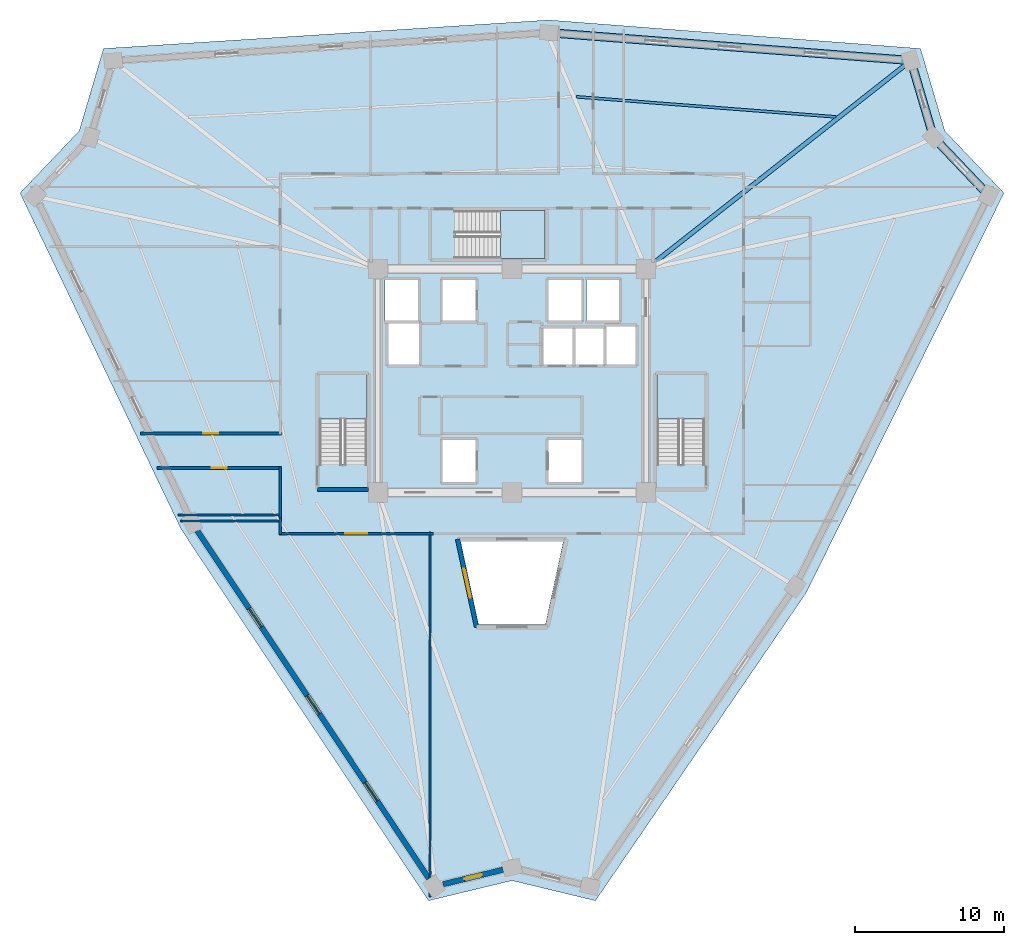
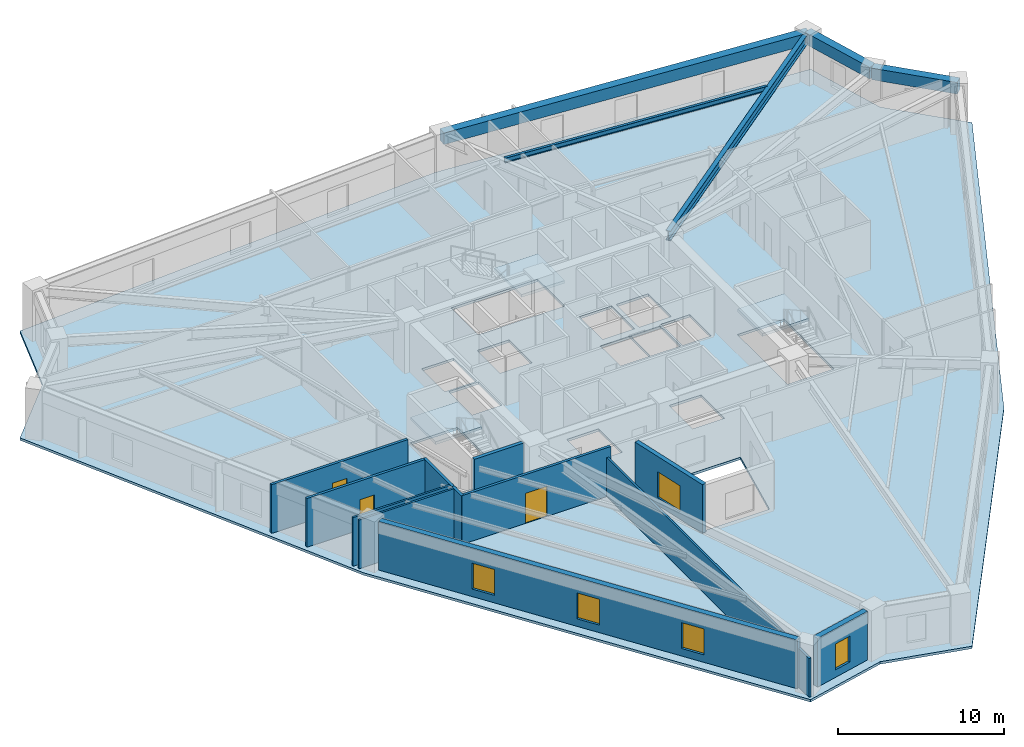
# One storey, part 2 of 8: 12 walls, 5 beams, 5 windows, 4 slabs, 3 doors, 8 openings, 3 elements without a shape of their own.
"""IFC4 building model written with IfcOpenShell, lengths in metres."""

from ifc_helpers import new_model, si_unit, direction, frame, frame_2d, origin, origin_2d, place, context, subcontext, project, spatial, polyline, rectangle, i_section, outline, extrude, source, transform, mapped, material, layer, layer_set, material_profile, profile_set, type_object, element, fill, aggregate, save


model = new_model("IFC4")

# Units and contexts
model_context = context("Model", 3, precision=1e-05, world=origin(), true_north=direction((0.0, 1.0)))
body_context = subcontext(model_context, "Body", "Model", "MODEL_VIEW")
ifc_project = project(units=[si_unit("LENGTHUNIT", "METRE"), si_unit("AREAUNIT", "SQUARE_METRE"), si_unit("VOLUMEUNIT", "CUBIC_METRE"), si_unit("PLANEANGLEUNIT", "RADIAN"), si_unit("MASSUNIT", "GRAM", prefix="KILO")], contexts=[model_context])

# Site, building, storey
site_placement = place(None, origin())
site = spatial("IfcSite", under=ifc_project, at=site_placement, CompositionType="ELEMENT")
building_placement = place(site_placement, origin())
building = spatial("IfcBuilding", under=site, at=building_placement, Name="Liaohun Quay Tower", CompositionType="ELEMENT")
storey_placement = place(building_placement, frame((0.0, 0.0, 255.0)))
storey = spatial("IfcBuildingStorey", under=building, at=storey_placement, Name="L66", CompositionType="ELEMENT", Elevation=255.0)

# Beams
ifc_material_1 = material(Name="Precast concrete C50", Category="concrete")
ifc_material_profile_1 = material_profile(ifc_material_1, rectangle(XDim=0.550048828125, YDim=0.85009765625, at=origin_2d()), Name="RC550x850")
ifc_profile_set_1 = profile_set([ifc_material_profile_1], Name="Precast concrete C50")
beam_type_1 = type_object("IfcBeamType", Name="BM-SPD-Z3", PredefinedType="SPANDREL", material=ifc_profile_set_1)
shared_shape_1 = source(origin(), body_context, "Body", "SweptSolid", [
    extrude(rectangle(XDim=0.550048828125, YDim=0.85009765625, at=origin_2d()), origin(), (0.0, 0.0, 1.0), 24.3857421875),
])
beam_1_placement = place(storey_placement, frame((62.464111328125, 77.3701171875, 3.14501953125), z_axis=(0.997058135672, -0.076649031898, 0.0), x_axis=(0.076649031898, 0.997058135672, 0.0)))
element("IfcBeam", 1, at=beam_1_placement, inside=storey, type_object=beam_type_1, Name="L66 Precast Spandrel Beam PC06-PC07", PredefinedType="SPANDREL", context=body_context, shape_type="MappedRepresentation", body=[
    mapped(shared_shape_1, transform((0.0, 0.0, 0.0), x_axis=(1.0, 0.0, 0.0), y_axis=(0.0, 1.0, 0.0), z_axis=(0.0, 0.0, 1.0), scale=1.0)),
])
shared_shape_2 = source(origin(), body_context, "Body", "SweptSolid", [
    extrude(rectangle(XDim=0.550048828125, YDim=0.85009765625, at=origin_2d()), origin(), (0.0, 0.0, 1.0), 5.3818359375),
])
beam_2_placement = place(storey_placement, frame((86.778076171875, 75.5009765625, 3.14501953125), z_axis=(0.282979158673, -0.959126058324, 0.0), x_axis=(0.959126058324, 0.282979158673, 0.0)))
element("IfcBeam", 2, at=beam_2_placement, inside=storey, type_object=beam_type_1, Name="L66 Precast Spandrel Beam PC07-PC08", PredefinedType="SPANDREL", context=body_context, shape_type="MappedRepresentation", body=[
    mapped(shared_shape_2, transform((0.0, 0.0, 0.0), x_axis=(1.0, 0.0, 0.0), y_axis=(0.0, 1.0, 0.0), z_axis=(0.0, 0.0, 1.0), scale=1.0)),
])
shared_shape_3 = source(origin(), body_context, "Body", "SweptSolid", [
    extrude(rectangle(XDim=0.550048828125, YDim=0.85009765625, at=origin_2d()), origin(), (0.0, 0.0, 1.0), 5.37353515625),
])
beam_3_placement = place(storey_placement, frame((88.301025390625, 70.339111328125, 3.14501953125), z_axis=(0.689281829079, -0.724493312669, 0.0), x_axis=(0.724493312669, 0.689281829079, 0.0)))
element("IfcBeam", 3, at=beam_3_placement, inside=storey, type_object=beam_type_1, Name="L66 Precast Spandrel Beam PC08-PC09", PredefinedType="SPANDREL", context=body_context, shape_type="MappedRepresentation", body=[
    mapped(shared_shape_3, transform((0.0, 0.0, 0.0), x_axis=(1.0, 0.0, 0.0), y_axis=(0.0, 1.0, 0.0), z_axis=(0.0, 0.0, 1.0), scale=1.0)),
])
ifc_material_2 = material(Name="Steel Q355D", Category="steel")
ifc_material_profile_2 = material_profile(ifc_material_2, i_section(OverallWidth=0.300048828125, OverallDepth=0.699951171875, WebThickness=0.012939453125, FlangeThickness=0.02392578125, at=origin_2d()), Name="HN700x300x13x24")
ifc_profile_set_2 = profile_set([ifc_material_profile_2], Name="Steel Q355D")
beam_type_2 = type_object("IfcBeamType", Name="BM-RAD-U1", PredefinedType="BEAM", material=ifc_profile_set_2)
shared_shape_4 = source(origin(), body_context, "Body", "SweptSolid", [
    extrude(i_section(OverallWidth=0.300048828125, OverallDepth=0.699951171875, WebThickness=0.012939453125, FlangeThickness=0.02392578125, at=origin_2d()), origin(), (0.0, 0.0, 1.0), 22.28515625),
])
beam_4_placement = place(storey_placement, frame((69.0, 61.5, 3.219970703125), z_axis=(0.785766426077, 0.618523341233, 0.0), x_axis=(-0.618523341233, 0.785766426077, 0.0)))
element("IfcBeam", 4, at=beam_4_placement, inside=storey, type_object=beam_type_2, Name="L66 Radial Primary Girder CC4-PC07", PredefinedType="BEAM", context=body_context, shape_type="MappedRepresentation", body=[
    mapped(shared_shape_4, transform((0.0, 0.0, 0.0), x_axis=(1.0, 0.0, 0.0), y_axis=(0.0, 1.0, 0.0), z_axis=(0.0, 0.0, 1.0), scale=1.0)),
])
ifc_material_profile_3 = material_profile(ifc_material_2, i_section(OverallWidth=0.175048828125, OverallDepth=0.35009765625, WebThickness=0.007080078125, FlangeThickness=0.010986328125, at=origin_2d()), Name="HN350x175x7x11")
ifc_profile_set_3 = profile_set([ifc_material_profile_3], Name="Steel Q355D")
beam_type_3 = type_object("IfcBeamType", Name="BM-SEC-J3", PredefinedType="JOIST", material=ifc_profile_set_3)
shared_shape_5 = source(origin(), body_context, "Body", "SweptSolid", [
    extrude(i_section(OverallWidth=0.175048828125, OverallDepth=0.35009765625, WebThickness=0.007080078125, FlangeThickness=0.010986328125, at=origin_2d()), origin(), (0.0, 0.0, 1.0), 17.476318359375),
])
beam_5_placement = place(storey_placement, frame((64.31298828125, 73.06689453125, 3.39501953125), z_axis=(0.997012592682, -0.07723917422, 0.0), x_axis=(0.07723917422, 0.997012592682, 0.0)))
element("IfcBeam", 5, at=beam_5_placement, inside=storey, type_object=beam_type_3, Name="L66 Wing Secondary Floor Joist SJ-09", PredefinedType="JOIST", context=body_context, shape_type="MappedRepresentation", body=[
    mapped(shared_shape_5, transform((0.0, 0.0, 0.0), x_axis=(1.0, 0.0, 0.0), y_axis=(0.0, 1.0, 0.0), z_axis=(0.0, 0.0, 1.0), scale=1.0)),
])

# Stair, slab
ifc_material_3 = material(Name="Concrete C45", Category="concrete")
stair_type = type_object("IfcStairType", Name="STR-CORE-OFF", PredefinedType="HALF_TURN_STAIR", material=ifc_material_3)
stair_1_placement = place(storey_placement, origin())
stair_1 = element("IfcStair", 6, at=stair_1_placement, inside=storey, type_object=stair_type, Name="L66 Smokeproof Core Exit Stair ST-1", PredefinedType="HALF_TURN_STAIR")
ifc_layer_1 = layer(ifc_material_3, 0.199951171875, Name="Concrete C45", Category="concrete")
ifc_layer_set_1 = layer_set([ifc_layer_1], Name="Concrete C45")
slab_type_1 = type_object("IfcSlabType", Name="SLB-LND-200", PredefinedType="LANDING", material=ifc_layer_set_1)
slab_1_placement = place(storey_placement, frame((0.0, 0.0, 1.675048828125)))
slab_1 = element("IfcSlab", 7, at=slab_1_placement, type_object=slab_type_1, Name="ST-1 landing 1", PredefinedType="LANDING", context=body_context, shape_type="SweptSolid", body=[
    extrude(outline(polyline([(50.280029296875, 51.429931640625), (50.280029296875, 54.419921875), (47.0400390625, 54.419921875), (47.0400390625, 51.429931640625), (50.280029296875, 51.429931640625)])), origin(), (0.0, 0.0, 1.0), 0.199951171875),
])
aggregate(stair_1, [slab_1])

stair_2_placement = place(storey_placement, origin())
stair_2 = element("IfcStair", 8, at=stair_2_placement, inside=storey, type_object=stair_type, Name="L66 Smokeproof Core Exit Stair ST-2", PredefinedType="HALF_TURN_STAIR")
slab_2_placement = place(storey_placement, frame((0.0, 0.0, 1.675048828125)))
slab_2 = element("IfcSlab", 9, at=slab_2_placement, type_object=slab_type_1, Name="ST-2 landing 1", PredefinedType="LANDING", context=body_context, shape_type="SweptSolid", body=[
    extrude(outline(polyline([(72.9599609375, 51.429931640625), (72.9599609375, 54.419921875), (69.719970703125, 54.419921875), (69.719970703125, 51.429931640625), (72.9599609375, 51.429931640625)])), origin(), (0.0, 0.0, 1.0), 0.199951171875),
])
aggregate(stair_2, [slab_2])

stair_3_placement = place(storey_placement, origin())
stair_3 = element("IfcStair", 10, at=stair_3_placement, inside=storey, type_object=stair_type, Name="L66 Smokeproof Core Exit Stair ST-3", PredefinedType="HALF_TURN_STAIR")
slab_3_placement = place(storey_placement, frame((0.0, 0.0, 1.675048828125)))
slab_3 = element("IfcSlab", 11, at=slab_3_placement, type_object=slab_type_1, Name="ST-3 landing 1", PredefinedType="LANDING", context=body_context, shape_type="SweptSolid", body=[
    extrude(outline(polyline([(59.22998046875, 62.199951171875), (62.219970703125, 62.199951171875), (62.219970703125, 65.43994140625), (59.22998046875, 65.43994140625), (59.22998046875, 62.199951171875)])), origin(), (0.0, 0.0, 1.0), 0.199951171875),
])
aggregate(stair_3, [slab_3])

# Slab
ifc_layer_2 = layer(ifc_material_3, 0.179931640625, Name="Concrete C45", Category="concrete")
ifc_layer_set_2 = layer_set([ifc_layer_2], Name="Concrete C45")
slab_type_2 = type_object("IfcSlabType", Name="SLB-OFF-180", PredefinedType="FLOOR", material=ifc_layer_set_2)
slab_4_placement = place(storey_placement, frame((0.0, 0.0, -0.179931640625)))
element("IfcSlab", 12, at=slab_4_placement, inside=storey, type_object=slab_type_2, Name="L66 Structural Floor Slab", PredefinedType="FLOOR", context=body_context, shape_type="SweptSolid", body=[
    extrude(outline(polyline([(54.39794921875, 19.093994140625), (60.0, 20.447021484375), (65.60205078125, 19.093994140625), (79.742919921875, 39.7509765625), (93.030029296875, 66.60205078125), (89.05810546875, 70.77587890625), (87.427978515625, 76.303955078125), (62.468994140625, 78.221923828125), (32.572021484375, 76.303955078125), (30.94189453125, 70.77587890625), (26.969970703125, 66.60205078125), (37.7890625, 44.027099609375), (54.39794921875, 19.093994140625)]), holes=[polyline([(63.444091796875, 43.199951171875), (56.555908203125, 43.199951171875), (57.760986328125, 37.6240234375), (62.239013671875, 37.6240234375), (63.444091796875, 43.199951171875)]), polyline([(57.56005859375, 47.2099609375), (57.56005859375, 50.030029296875), (55.340087890625, 50.030029296875), (55.340087890625, 47.2099609375), (57.56005859375, 47.2099609375)]), polyline([(50.280029296875, 54.419921875), (47.0400390625, 54.419921875), (47.0400390625, 48.409912109375), (50.280029296875, 48.409912109375), (50.280029296875, 54.419921875)]), polyline([(53.760009765625, 55.090087890625), (53.760009765625, 57.909912109375), (51.7099609375, 57.909912109375), (51.7099609375, 55.090087890625), (53.760009765625, 55.090087890625)]), polyline([(53.7099609375, 58.0400390625), (53.7099609375, 60.7900390625), (51.489990234375, 60.7900390625), (51.489990234375, 58.0400390625), (53.7099609375, 58.0400390625)]), polyline([(57.56005859375, 58.0400390625), (57.56005859375, 60.7900390625), (55.340087890625, 60.7900390625), (55.340087890625, 58.0400390625), (57.56005859375, 58.0400390625)]), polyline([(62.219970703125, 62.199951171875), (62.219970703125, 65.43994140625), (56.2099609375, 65.43994140625), (56.2099609375, 62.199951171875), (62.219970703125, 62.199951171875)]), polyline([(64.659912109375, 50.030029296875), (62.43994140625, 50.030029296875), (62.43994140625, 47.2099609375), (64.659912109375, 47.2099609375), (64.659912109375, 50.030029296875)]), polyline([(72.9599609375, 54.419921875), (69.719970703125, 54.419921875), (69.719970703125, 48.409912109375), (72.9599609375, 48.409912109375), (72.9599609375, 54.419921875)]), polyline([(64.06005859375, 55.090087890625), (64.06005859375, 57.510009765625), (61.989990234375, 57.510009765625), (61.989990234375, 55.090087890625), (64.06005859375, 55.090087890625)]), polyline([(66.159912109375, 55.090087890625), (66.159912109375, 57.510009765625), (64.090087890625, 57.510009765625), (64.090087890625, 55.090087890625), (66.159912109375, 55.090087890625)]), polyline([(68.2900390625, 55.090087890625), (68.2900390625, 57.659912109375), (66.2900390625, 57.659912109375), (66.2900390625, 55.090087890625), (68.2900390625, 55.090087890625)]), polyline([(64.659912109375, 58.0400390625), (64.659912109375, 60.7900390625), (62.43994140625, 60.7900390625), (62.43994140625, 58.0400390625), (64.659912109375, 58.0400390625)]), polyline([(67.2099609375, 58.0400390625), (67.2099609375, 60.7900390625), (64.989990234375, 60.7900390625), (64.989990234375, 58.0400390625), (67.2099609375, 58.0400390625)])]), origin(), (0.0, 0.0, 1.0), 0.179931640625),
])

# Wall, opening, window
ifc_material_4 = material(Name="Concrete C50", Category="concrete")
ifc_layer_3 = layer(ifc_material_4, 0.300048828125, Name="Concrete C50", Category="concrete")
ifc_layer_set_3 = layer_set([ifc_layer_3], Name="Concrete C50")
wall_type_1 = type_object("IfcWallType", Name="WAL-ATR-300", PredefinedType="SOLIDWALL", material=ifc_layer_set_3)
wall_1_placement = place(storey_placement, frame((57.6240234375, 37.4541015625, 0.0), z_axis=(0.0, 0.0, 1.0), x_axis=(-0.211319253415, 0.977417092717, 0.0)))
wall_1 = element("IfcWall", 13, at=wall_1_placement, inside=storey, type_object=wall_type_1, Name="L66 Atrium Fire Compartment Wall 1", PredefinedType="SOLIDWALL", context=body_context, shape_type="SweptSolid", body=[
    extrude(rectangle(XDim=6.052734375, YDim=0.300048828125, at=frame_2d((3.0263671875, 0.0))), origin(), (0.0, 0.0, 1.0), 3.570068359375),
])
shared_shape_6 = source(origin(), body_context, "Body", "SweptSolid", [
    extrude(rectangle(XDim=2.0, YDim=1.89990234375, at=frame_2d((1.0, 0.949951171875))), frame((0.0, 0.159912109375, 0.0), z_axis=(0.0, -1.0, 0.0), x_axis=(1.0, 0.0, 0.0)), (0.0, 0.0, 1.0), 0.320068359375),
])
opening_1_placement = place(wall_1_placement, frame((2.02587890625, 0.0, 0.550048828125)))
opening_1 = element("IfcOpeningElement", 14, at=opening_1_placement, cuts=wall_1, Name="Opening W07", PredefinedType="OPENING", context=body_context, shape_type="MappedRepresentation", body=[
    mapped(shared_shape_6, transform((0.0, 0.0, 0.0), x_axis=(1.0, 0.0, 0.0), y_axis=(0.0, 1.0, 0.0), z_axis=(0.0, 0.0, 1.0), scale=1.0)),
])
ifc_material_5 = material(Name="Class A 180-min fire-resistant insulated glazing", Category="glass")
window_type_1 = type_object("IfcWindowType", Name="WIN-ATR-FIR", PartitioningType="DOUBLE_PANEL_VERTICAL", PredefinedType="WINDOW", material=ifc_material_5)
shared_shape_7 = source(origin(), body_context, "Body", "SweptSolid", [
    extrude(rectangle(XDim=2.0, YDim=1.89990234375, at=frame_2d((1.0, 0.949951171875))), frame((0.0, 0.030029296875, 0.0), z_axis=(0.0, -1.0, 0.0), x_axis=(1.0, 0.0, 0.0)), (0.0, 0.0, 1.0), 0.06005859375),
])
window_1_placement = place(opening_1_placement, origin())
window_1 = element("IfcWindow", 15, at=window_1_placement, inside=storey, type_object=window_type_1, Name="L66 Atrium Fire-Resistant Glazing W07-1", OverallHeight=1.89990234375, OverallWidth=2.0, PartitioningType="DOUBLE_PANEL_VERTICAL", PredefinedType="WINDOW", context=body_context, shape_type="MappedRepresentation", body=[
    mapped(shared_shape_7, transform((0.0, 0.0, 0.0), x_axis=(1.0, 0.0, 0.0), y_axis=(0.0, 1.0, 0.0), z_axis=(0.0, 0.0, 1.0), scale=1.0)),
])
fill(opening_1, window_1)

# Wall, openings, windows
ifc_material_6 = material(Name="Precast concrete C50 insulated sandwich", Category="concrete")
ifc_layer_4 = layer(ifc_material_6, 0.3798828125, Name="Precast concrete C50 insulated sandwich", Category="concrete")
ifc_layer_set_4 = layer_set([ifc_layer_4], Name="Precast concrete C50 insulated sandwich")
wall_type_2 = type_object("IfcWallType", Name="WAL-EXT-Z34", PredefinedType="SOLIDWALL", material=ifc_layer_set_4)
wall_2_placement = place(storey_placement, frame((38.87109375, 43.93603515625, 0.0), z_axis=(0.0, 0.0, 1.0), x_axis=(0.554403141281, -0.832248254391, 0.0)))
wall_2 = element("IfcWall", 16, at=wall_2_placement, inside=storey, type_object=wall_type_2, Name="L66 Brutalist Precast Pier Wall 11", PredefinedType="SOLIDWALL", context=body_context, shape_type="SweptSolid", body=[
    extrude(rectangle(XDim=28.073486328125, YDim=0.3798828125, at=frame_2d((14.03662109375, 0.0))), origin(), (0.0, 0.0, 1.0), 3.570068359375),
])
shared_shape_8 = source(origin(), body_context, "Body", "SweptSolid", [
    extrude(rectangle(XDim=1.5, YDim=1.89990234375, at=frame_2d((0.75, 0.949951171875))), frame((0.0, 0.199951171875, 0.0), z_axis=(0.0, -1.0, 0.0), x_axis=(1.0, 0.0, 0.0)), (0.0, 0.0, 1.0), 0.39990234375),
])
opening_2_placement = place(wall_2_placement, frame((6.26806640625, 0.0, 0.550048828125)))
opening_2 = element("IfcOpeningElement", 17, at=opening_2_placement, cuts=wall_2, Name="Opening W03", PredefinedType="OPENING", context=body_context, shape_type="MappedRepresentation", body=[
    mapped(shared_shape_8, transform((0.0, 0.0, 0.0), x_axis=(1.0, 0.0, 0.0), y_axis=(0.0, 1.0, 0.0), z_axis=(0.0, 0.0, 1.0), scale=1.0)),
])
opening_3_placement = place(wall_2_placement, frame((13.287109375, 0.0, 0.550048828125)))
opening_3 = element("IfcOpeningElement", 18, at=opening_3_placement, cuts=wall_2, Name="Opening W03", PredefinedType="OPENING", context=body_context, shape_type="MappedRepresentation", body=[
    mapped(shared_shape_8, transform((0.0, 0.0, 0.0), x_axis=(1.0, 0.0, 0.0), y_axis=(0.0, 1.0, 0.0), z_axis=(0.0, 0.0, 1.0), scale=1.0)),
])
opening_4_placement = place(wall_2_placement, frame((20.304931640625, 0.0, 0.550048828125)))
opening_4 = element("IfcOpeningElement", 19, at=opening_4_placement, cuts=wall_2, Name="Opening W03", PredefinedType="OPENING", context=body_context, shape_type="MappedRepresentation", body=[
    mapped(shared_shape_8, transform((0.0, 0.0, 0.0), x_axis=(1.0, 0.0, 0.0), y_axis=(0.0, 1.0, 0.0), z_axis=(0.0, 0.0, 1.0), scale=1.0)),
])
ifc_material_7 = material(Name="Triple Low-E argon glazing in thermally broken aluminium", Category="aluminium")
window_type_2 = type_object("IfcWindowType", Name="WIN-PUN-Z3", PartitioningType="DOUBLE_PANEL_VERTICAL", PredefinedType="WINDOW", material=ifc_material_7)
shared_shape_9 = source(origin(), body_context, "Body", "SweptSolid", [
    extrude(rectangle(XDim=1.5, YDim=1.89990234375, at=frame_2d((0.75, 0.949951171875))), frame((0.0, 0.030029296875, 0.0), z_axis=(0.0, -1.0, 0.0), x_axis=(1.0, 0.0, 0.0)), (0.0, 0.0, 1.0), 0.06005859375),
])
window_2_placement = place(opening_2_placement, origin())
window_2 = element("IfcWindow", 20, at=window_2_placement, inside=storey, type_object=window_type_2, Name="L66 Recessed Cold-Climate Punched Window 11-1", OverallHeight=1.89990234375, OverallWidth=1.5, PartitioningType="DOUBLE_PANEL_VERTICAL", PredefinedType="WINDOW", context=body_context, shape_type="MappedRepresentation", body=[
    mapped(shared_shape_9, transform((0.0, 0.0, 0.0), x_axis=(1.0, 0.0, 0.0), y_axis=(0.0, 1.0, 0.0), z_axis=(0.0, 0.0, 1.0), scale=1.0)),
])
fill(opening_2, window_2)
window_3_placement = place(opening_3_placement, origin())
window_3 = element("IfcWindow", 21, at=window_3_placement, inside=storey, type_object=window_type_2, Name="L66 Recessed Cold-Climate Punched Window 11-2", OverallHeight=1.89990234375, OverallWidth=1.5, PartitioningType="DOUBLE_PANEL_VERTICAL", PredefinedType="WINDOW", context=body_context, shape_type="MappedRepresentation", body=[
    mapped(shared_shape_9, transform((0.0, 0.0, 0.0), x_axis=(1.0, 0.0, 0.0), y_axis=(0.0, 1.0, 0.0), z_axis=(0.0, 0.0, 1.0), scale=1.0)),
])
fill(opening_3, window_3)
window_4_placement = place(opening_4_placement, origin())
window_4 = element("IfcWindow", 22, at=window_4_placement, inside=storey, type_object=window_type_2, Name="L66 Recessed Cold-Climate Punched Window 11-3", OverallHeight=1.89990234375, OverallWidth=1.5, PartitioningType="DOUBLE_PANEL_VERTICAL", PredefinedType="WINDOW", context=body_context, shape_type="MappedRepresentation", body=[
    mapped(shared_shape_9, transform((0.0, 0.0, 0.0), x_axis=(1.0, 0.0, 0.0), y_axis=(0.0, 1.0, 0.0), z_axis=(0.0, 0.0, 1.0), scale=1.0)),
])
fill(opening_4, window_4)

# Wall, opening, window
wall_3_placement = place(storey_placement, frame((55.3740234375, 20.2041015625, 0.0), z_axis=(0.0, 0.0, 1.0), x_axis=(0.972048835294, 0.234778750751, 0.0)))
wall_3 = element("IfcWall", 23, at=wall_3_placement, inside=storey, type_object=wall_type_2, Name="L66 Brutalist Precast Pier Wall 12", PredefinedType="SOLIDWALL", context=body_context, shape_type="SweptSolid", body=[
    extrude(rectangle(XDim=4.143798828125, YDim=0.3798828125, at=frame_2d((2.07177734375, 0.0))), origin(), (0.0, 0.0, 1.0), 3.570068359375),
])
shared_shape_10 = source(origin(), body_context, "Body", "SweptSolid", [
    extrude(rectangle(XDim=1.199951171875, YDim=1.89990234375, at=frame_2d((0.60009765625, 0.949951171875))), frame((0.0, 0.199951171875, 0.0), z_axis=(0.0, -1.0, 0.0), x_axis=(1.0, 0.0, 0.0)), (0.0, 0.0, 1.0), 0.39990234375),
])
opening_5_placement = place(wall_3_placement, frame((1.471923828125, 0.0, 0.550048828125)))
opening_5 = element("IfcOpeningElement", 24, at=opening_5_placement, cuts=wall_3, Name="Opening W05", PredefinedType="OPENING", context=body_context, shape_type="MappedRepresentation", body=[
    mapped(shared_shape_10, transform((0.0, 0.0, 0.0), x_axis=(1.0, 0.0, 0.0), y_axis=(0.0, 1.0, 0.0), z_axis=(0.0, 0.0, 1.0), scale=1.0)),
])
ifc_material_8 = material(Name="Triple Low-E corner notch glazing", Category="glass")
window_type_3 = type_object("IfcWindowType", Name="WIN-NOTCH", PartitioningType="SINGLE_PANEL", PredefinedType="WINDOW", material=ifc_material_8)
shared_shape_11 = source(origin(), body_context, "Body", "SweptSolid", [
    extrude(rectangle(XDim=1.199951171875, YDim=1.89990234375, at=frame_2d((0.60009765625, 0.949951171875))), frame((0.0, 0.030029296875, 0.0), z_axis=(0.0, -1.0, 0.0), x_axis=(1.0, 0.0, 0.0)), (0.0, 0.0, 1.0), 0.06005859375),
])
window_5_placement = place(opening_5_placement, origin())
window_5 = element("IfcWindow", 25, at=window_5_placement, inside=storey, type_object=window_type_3, Name="L66 Corner Notch Window W05-12", OverallHeight=1.89990234375, OverallWidth=1.199951171875, PartitioningType="SINGLE_PANEL", PredefinedType="WINDOW", context=body_context, shape_type="MappedRepresentation", body=[
    mapped(shared_shape_11, transform((0.0, 0.0, 0.0), x_axis=(1.0, 0.0, 0.0), y_axis=(0.0, 1.0, 0.0), z_axis=(0.0, 0.0, 1.0), scale=1.0)),
])
fill(opening_5, window_5)

# Wall, opening, door
ifc_material_9 = material(Name="Autoclaved aerated concrete blockwork", Category="masonry")
ifc_layer_5 = layer(ifc_material_9, 0.179931640625, Name="Autoclaved aerated concrete blockwork", Category="masonry")
ifc_layer_set_5 = layer_set([ifc_layer_5], Name="Autoclaved aerated concrete blockwork")
wall_type_3 = type_object("IfcWallType", Name="WAL-PRT-COR", PredefinedType="PARTITIONING", material=ifc_layer_set_5)
wall_4_placement = place(storey_placement, frame((35.056884765625, 50.4599609375, 0.0), z_axis=(0.0, 0.0, 1.0), x_axis=(1.0, 0.0, 0.0)))
wall_4 = element("IfcWall", 26, at=wall_4_placement, inside=storey, type_object=wall_type_3, Name="L66 Interior Partition Wall 024", PredefinedType="PARTITIONING", context=body_context, shape_type="SweptSolid", body=[
    extrude(rectangle(XDim=9.453125, YDim=0.179931640625, at=frame_2d((4.7265625, 0.0))), origin(), (0.0, 0.0, 1.0), 3.570068359375),
])
shared_shape_12 = source(origin(), body_context, "Body", "SweptSolid", [
    extrude(rectangle(XDim=1.0, YDim=2.199951171875, at=frame_2d((0.5, 1.10009765625))), frame((0.0, 0.099853515625, 0.0), z_axis=(0.0, -1.0, 0.0), x_axis=(1.0, 0.0, 0.0)), (0.0, 0.0, 1.0), 0.199951171875),
])
opening_6_placement = place(wall_4_placement, frame((4.22607421875, 0.0, 0.0)))
opening_6 = element("IfcOpeningElement", 27, at=opening_6_placement, cuts=wall_4, Name="Opening OD1", PredefinedType="OPENING", context=body_context, shape_type="MappedRepresentation", body=[
    mapped(shared_shape_12, transform((0.0, 0.0, 0.0), x_axis=(1.0, 0.0, 0.0), y_axis=(0.0, 1.0, 0.0), z_axis=(0.0, 0.0, 1.0), scale=1.0)),
])
ifc_material_10 = material(Name="Solid-core oak veneer timber leaf in steel frame", Category="steel")
door_type_1 = type_object("IfcDoorType", Name="DOR-OFF-1000", OperationType="NOTDEFINED", PredefinedType="DOOR", material=ifc_material_10)
shared_shape_13 = source(origin(), body_context, "Body", "SweptSolid", [
    extrude(rectangle(XDim=1.0, YDim=2.199951171875, at=frame_2d((0.5, 1.10009765625))), frame((0.0, 0.02490234375, 0.0), z_axis=(0.0, -1.0, 0.0), x_axis=(1.0, 0.0, 0.0)), (0.0, 0.0, 1.0), 0.050048828125),
])
door_1_placement = place(opening_6_placement, origin())
door_1 = element("IfcDoor", 28, at=door_1_placement, inside=storey, type_object=door_type_1, Name="L66 Records Archive Store 09 Door", OperationType="SINGLE_SWING_RIGHT", OverallHeight=2.199951171875, OverallWidth=1.0, PredefinedType="DOOR", context=body_context, shape_type="MappedRepresentation", body=[
    mapped(shared_shape_13, transform((0.0, 0.0, 0.0), x_axis=(1.0, 0.0, 0.0), y_axis=(0.0, 1.0, 0.0), z_axis=(0.0, 0.0, 1.0), scale=1.0)),
])
fill(opening_6, door_1)

wall_5_placement = place(storey_placement, frame((44.510009765625, 48.139892578125, 0.0), z_axis=(0.0, 0.0, 1.0), x_axis=(-1.0, 0.0, 0.0)))
wall_5 = element("IfcWall", 29, at=wall_5_placement, inside=storey, type_object=wall_type_3, Name="L66 Interior Partition Wall 025", PredefinedType="PARTITIONING", context=body_context, shape_type="SweptSolid", body=[
    extrude(rectangle(XDim=8.341064453125, YDim=0.179931640625, at=frame_2d((4.17041015625, 0.0))), origin(), (0.0, 0.0, 1.0), 3.570068359375),
])
opening_7_placement = place(wall_5_placement, frame((3.6708984375, 0.0, 0.0)))
opening_7 = element("IfcOpeningElement", 30, at=opening_7_placement, cuts=wall_5, Name="Opening OD1", PredefinedType="OPENING", context=body_context, shape_type="MappedRepresentation", body=[
    mapped(shared_shape_12, transform((0.0, 0.0, 0.0), x_axis=(1.0, 0.0, 0.0), y_axis=(0.0, 1.0, 0.0), z_axis=(0.0, 0.0, 1.0), scale=1.0)),
])
door_2_placement = place(opening_7_placement, origin())
door_2 = element("IfcDoor", 31, at=door_2_placement, inside=storey, type_object=door_type_1, Name="L66 Open-Plan Office Workplace 10 Door", OperationType="SINGLE_SWING_LEFT", OverallHeight=2.199951171875, OverallWidth=1.0, PredefinedType="DOOR", context=body_context, shape_type="MappedRepresentation", body=[
    mapped(shared_shape_13, transform((0.0, 0.0, 0.0), x_axis=(1.0, 0.0, 0.0), y_axis=(0.0, 1.0, 0.0), z_axis=(0.0, 0.0, 1.0), scale=1.0)),
])
fill(opening_7, door_2)

wall_6_placement = place(storey_placement, frame((54.715087890625, 43.739990234375, 0.0), z_axis=(0.0, 0.0, 1.0), x_axis=(-1.0, 0.0, 0.0)))
wall_6 = element("IfcWall", 32, at=wall_6_placement, inside=storey, type_object=wall_type_3, Name="L66 Interior Partition Wall 026", PredefinedType="PARTITIONING", context=body_context, shape_type="SweptSolid", body=[
    extrude(rectangle(XDim=10.344970703125, YDim=0.179931640625, at=frame_2d((5.17236328125, 0.0))), origin(), (0.0, 0.0, 1.0), 3.570068359375),
])
shared_shape_14 = source(origin(), body_context, "Body", "SweptSolid", [
    extrude(rectangle(XDim=1.5, YDim=2.199951171875, at=frame_2d((0.75, 1.10009765625))), frame((0.0, 0.099853515625, 0.0), z_axis=(0.0, -1.0, 0.0), x_axis=(1.0, 0.0, 0.0)), (0.0, 0.0, 1.0), 0.199951171875),
])
opening_8_placement = place(wall_6_placement, frame((4.423095703125, 0.0, 0.0)))
opening_8 = element("IfcOpeningElement", 33, at=opening_8_placement, cuts=wall_6, Name="Opening OD2", PredefinedType="OPENING", context=body_context, shape_type="MappedRepresentation", body=[
    mapped(shared_shape_14, transform((0.0, 0.0, 0.0), x_axis=(1.0, 0.0, 0.0), y_axis=(0.0, 1.0, 0.0), z_axis=(0.0, 0.0, 1.0), scale=1.0)),
])
ifc_material_11 = material(Name="Acoustic oak veneer double door")
door_type_2 = type_object("IfcDoorType", Name="DOR-OFF-1500", OperationType="DOUBLE_DOOR_SINGLE_SWING", PredefinedType="DOOR", material=ifc_material_11)
shared_shape_15 = source(origin(), body_context, "Body", "SweptSolid", [
    extrude(rectangle(XDim=1.5, YDim=2.199951171875, at=frame_2d((0.75, 1.10009765625))), frame((0.0, 0.02490234375, 0.0), z_axis=(0.0, -1.0, 0.0), x_axis=(1.0, 0.0, 0.0)), (0.0, 0.0, 1.0), 0.050048828125),
])
door_3_placement = place(opening_8_placement, origin())
door_3 = element("IfcDoor", 34, at=door_3_placement, inside=storey, type_object=door_type_2, Name="L66 Executive Partner Office 11 Door", OperationType="DOUBLE_DOOR_SINGLE_SWING", OverallHeight=2.199951171875, OverallWidth=1.5, PredefinedType="DOOR", context=body_context, shape_type="MappedRepresentation", body=[
    mapped(shared_shape_15, transform((0.0, 0.0, 0.0), x_axis=(1.0, 0.0, 0.0), y_axis=(0.0, 1.0, 0.0), z_axis=(0.0, 0.0, 1.0), scale=1.0)),
])
fill(opening_8, door_3)

# Walls
wall_7_placement = place(storey_placement, frame((44.43994140625, 44.784912109375, 0.0), z_axis=(0.0, 0.0, 1.0), x_axis=(0.0, 1.0, 0.0)))
element("IfcWall", 35, at=wall_7_placement, inside=storey, type_object=wall_type_3, Name="L66 Interior Partition Wall 051", PredefinedType="PARTITIONING", context=body_context, shape_type="SweptSolid", body=[
    extrude(rectangle(XDim=3.425048828125, YDim=0.179931640625, at=frame_2d((1.71240234375, 0.0))), origin(), (0.0, 0.0, 1.0), 3.570068359375),
])
wall_8_placement = place(storey_placement, frame((44.43994140625, 43.669921875, 0.0), z_axis=(0.0, 0.0, 1.0), x_axis=(0.0, 1.0, 0.0)))
element("IfcWall", 36, at=wall_8_placement, inside=storey, type_object=wall_type_3, Name="L66 Interior Partition Wall 052", PredefinedType="PARTITIONING", context=body_context, shape_type="SweptSolid", body=[
    extrude(rectangle(XDim=1.114990234375, YDim=0.179931640625, at=frame_2d((0.5576171875, 0.0))), origin(), (0.0, 0.0, 1.0), 3.570068359375),
])
ifc_material_12 = material(Name="Gypsum board on twin steel studs", Category="steel")
ifc_layer_6 = layer(ifc_material_12, 0.139892578125, Name="Gypsum board on twin steel studs", Category="steel")
ifc_layer_set_6 = layer_set([ifc_layer_6], Name="Gypsum board on twin steel studs")
wall_type_4 = type_object("IfcWallType", Name="WAL-PRT-OFF", PredefinedType="PARTITIONING", material=ifc_layer_set_6)
wall_9_placement = place(storey_placement, frame((44.5400390625, 44.60009765625, 0.0), z_axis=(0.0, 0.0, 1.0), x_axis=(-1.0, 0.0, 0.0)))
element("IfcWall", 37, at=wall_9_placement, inside=storey, type_object=wall_type_4, Name="L66 Interior Partition Wall 054", PredefinedType="PARTITIONING", context=body_context, shape_type="SweptSolid", body=[
    extrude(rectangle(XDim=6.781982421875, YDim=0.139892578125, at=frame_2d((3.39111328125, 0.0))), origin(), (0.0, 0.0, 1.0), 3.570068359375),
])
wall_10_placement = place(storey_placement, frame((44.5400390625, 45.0, 0.0), z_axis=(0.0, 0.0, 1.0), x_axis=(-1.0, 0.0, 0.0)))
element("IfcWall", 38, at=wall_10_placement, inside=storey, type_object=wall_type_4, Name="L66 Interior Partition Wall 055", PredefinedType="PARTITIONING", context=body_context, shape_type="SweptSolid", body=[
    extrude(rectangle(XDim=6.97314453125, YDim=0.139892578125, at=frame_2d((3.486572265625, 0.0))), origin(), (0.0, 0.0, 1.0), 3.570068359375),
])
wall_11_placement = place(storey_placement, frame((54.5, 43.840087890625, 0.0), z_axis=(0.0, 0.0, 1.0), x_axis=(0.0, -1.0, 0.0)))
element("IfcWall", 39, at=wall_11_placement, inside=storey, type_object=wall_type_4, Name="L66 Interior Partition Wall 065", PredefinedType="PARTITIONING", context=body_context, shape_type="SweptSolid", body=[
    extrude(rectangle(XDim=24.4951171875, YDim=0.139892578125, at=frame_2d((12.24755859375, 0.0))), origin(), (0.0, 0.0, 1.0), 2.85498046875),
])
ifc_layer_7 = layer(ifc_material_4, 0.239990234375, Name="Concrete C50", Category="concrete")
ifc_layer_set_7 = layer_set([ifc_layer_7], Name="Concrete C50")
wall_type_5 = type_object("IfcWallType", Name="WAL-SHF-200", PredefinedType="SOLIDWALL", material=ifc_layer_set_7)
wall_12_placement = place(storey_placement, frame((46.93994140625, 46.699951171875, 0.0), z_axis=(0.0, 0.0, 1.0), x_axis=(1.0, 0.0, 0.0)))
element("IfcWall", 40, at=wall_12_placement, inside=storey, type_object=wall_type_5, Name="L66 Stairwell ST-1 Structural Core Wall S", PredefinedType="SOLIDWALL", context=body_context, shape_type="SweptSolid", body=[
    extrude(rectangle(XDim=3.43994140625, YDim=0.239990234375, at=frame_2d((1.719970703125, 0.0))), origin(), (0.0, 0.0, 1.0), 3.570068359375),
])

save(model, "model.ifc")
